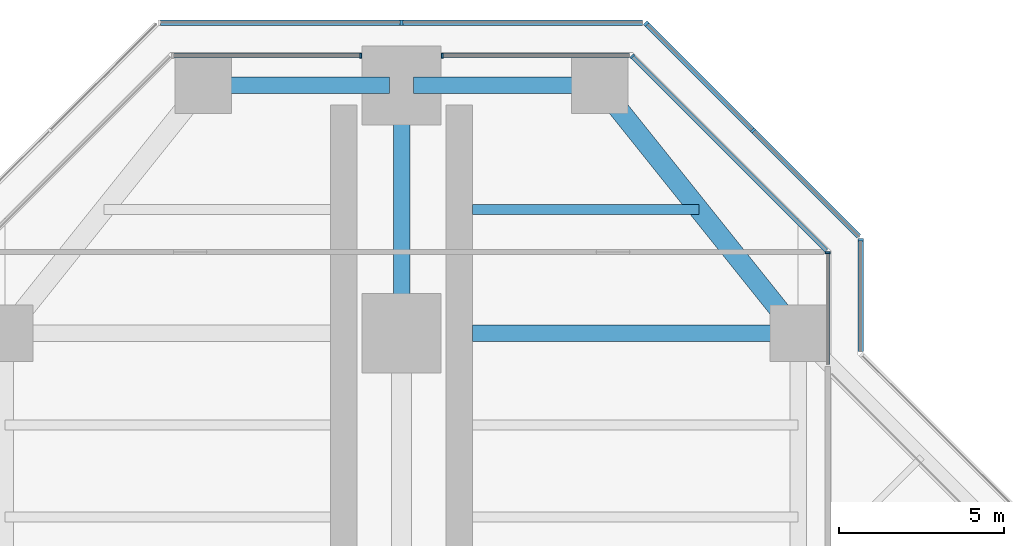
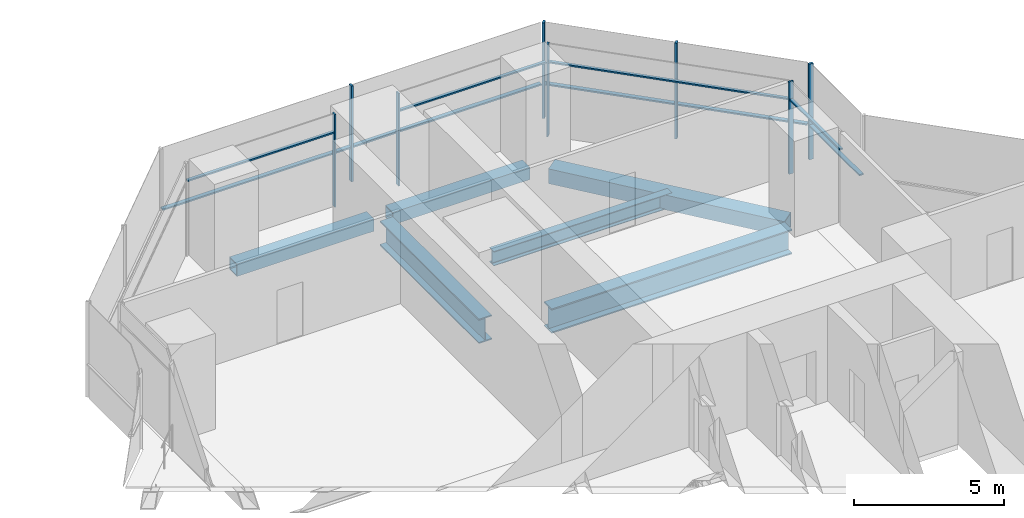
# One storey, part 10 of 20: 17 members, 6 beams, 7 elements without a shape of their own.
"""IFC4 building model written with IfcOpenShell, lengths in metres."""

import ifcopenshell
import ifcopenshell.guid

model = None  # the IFC model being written
_history = None  # IfcOwnerHistory: only IFC2X3 demands one
_inside = {}  # id of a spatial element -> (the spatial element, [elements in it])
_under = {}  # id of a project, library or spatial element -> (it, [spatial elements below it])
_declared = {}  # id of a project -> (the project, [libraries it declares])
_typed = {}  # id of a type object -> (the type object, [elements of that type])
_made_of = {}  # id of a material, layer set ... -> (it, [elements and type objects made of it])


def new_model(schema):
    """Start an empty IFC model of exactly this schema.

    Asked for "IFC4X3", IfcOpenShell would pick the latest addendum, in which some entities
    have other attributes; the version numbers below select the first issue.
    IFC2X3 requires an IfcOwnerHistory on every rooted entity: one is made here for all.
    """
    global model, _history
    if schema == "IFC4X3":
        model = ifcopenshell.file(schema_version=(4, 3, 0, 0))
    else:
        model = ifcopenshell.file(schema=schema)
    _inside.clear()
    _under.clear()
    _declared.clear()
    _typed.clear()
    _made_of.clear()
    _history = None
    if model.schema == "IFC2X3":
        org = make("IfcOrganization", Name="unknown")
        user = make(
            "IfcPersonAndOrganization",
            ThePerson=make("IfcPerson", FamilyName="unknown"),
            TheOrganization=org,
        )
        app = make(
            "IfcApplication",
            ApplicationDeveloper=org,
            Version="unknown",
            ApplicationFullName="unknown",
            ApplicationIdentifier="unknown",
        )
        _history = make(
            "IfcOwnerHistory",
            OwningUser=user,
            OwningApplication=app,
            ChangeAction="ADDED",
            CreationDate=0,
        )
    return model


def make(cls, **values):
    """One entity of the class cls with the attributes given. An attribute that is None is left unset."""
    return model.create_entity(
        cls, **{name: value for name, value in values.items() if value is not None}
    )


def rooted(cls, **values):
    """An entity with a GlobalId (a new one), such as an element, a storey or a relation."""
    return make(cls, GlobalId=ifcopenshell.guid.new(), OwnerHistory=_history, **values)


def si_unit(unit_type, name, prefix=None):
    """IfcSIUnit, for example si_unit("LENGTHUNIT", "METRE", prefix="MILLI")."""
    return make("IfcSIUnit", UnitType=unit_type, Prefix=prefix, Name=name)


def assignment(units):
    """IfcUnitAssignment: the units of a project."""
    return None if units is None else make("IfcUnitAssignment", Units=units)


def point(xyz):
    """IfcCartesianPoint."""
    return None if xyz is None else make("IfcCartesianPoint", Coordinates=xyz)


def direction(xyz):
    """IfcDirection."""
    return None if xyz is None else make("IfcDirection", DirectionRatios=xyz)


def frame(location, z_axis=None, x_axis=None):
    """IfcAxis2Placement3D, a coordinate frame: its origin and axes. An axis left out is left unset."""
    return make(
        "IfcAxis2Placement3D",
        Location=point(location),
        Axis=direction(z_axis),
        RefDirection=direction(x_axis),
    )


def frame_2d(location, x_axis=None):
    """IfcAxis2Placement2D, a coordinate frame in the plane: its origin and x axis."""
    return make(
        "IfcAxis2Placement2D", Location=point(location), RefDirection=direction(x_axis)
    )


def origin():
    """The frame at (0, 0, 0) with its axes left unset."""
    return frame((0.0, 0.0, 0.0))


def origin_2d():
    """The frame at (0, 0) in the plane with its x axis left unset."""
    return frame_2d((0.0, 0.0))


def place(relative_to, where):
    """IfcLocalPlacement: puts the frame where relative to a parent placement (None: the world)."""
    return make(
        "IfcLocalPlacement", PlacementRelTo=relative_to, RelativePlacement=where
    )


def context(
    kind, dimensions, precision=None, world=None, true_north=None, identifier=None
):
    """IfcGeometricRepresentationContext, for example the 3D "Model" context."""
    return make(
        "IfcGeometricRepresentationContext",
        ContextIdentifier=identifier,
        ContextType=kind,
        CoordinateSpaceDimension=dimensions,
        Precision=precision,
        WorldCoordinateSystem=world,
        TrueNorth=true_north,
    )


def subcontext(parent, identifier, kind, view, scale=None):
    """IfcGeometricRepresentationSubContext, for example "Body" below "Model"."""
    return make(
        "IfcGeometricRepresentationSubContext",
        ContextIdentifier=identifier,
        ContextType=kind,
        ParentContext=parent,
        TargetScale=scale,
        TargetView=view,
    )


def project(units=None, contexts=None):
    """IfcProject with its units and contexts."""
    return rooted(
        "IfcProject",
        Name="project",
        RepresentationContexts=contexts,
        UnitsInContext=assignment(units),
    )


def spatial(cls, under=None, at=None, **own):
    """A site, building, storey or space (cls), placed at a placement, below another one or the project."""
    s = rooted(cls, ObjectPlacement=at, **own)
    if under is not None:
        _under.setdefault(under.id(), (under, []))[1].append(s)
    return s


def profile(cls, at=None, kind="AREA", **sizes):
    """A parametric profile (cls). Its sizes go by their IFC names, for example OverallWidth=200.0."""
    return make(cls, ProfileType=kind, Position=at, **sizes)


def rectangle(**sizes):
    """IfcRectangleProfileDef."""
    return profile("IfcRectangleProfileDef", **sizes)


def hollow_rectangle(**sizes):
    """IfcRectangleHollowProfileDef."""
    return profile("IfcRectangleHollowProfileDef", **sizes)


def i_section(**sizes):
    """IfcIShapeProfileDef."""
    return profile("IfcIShapeProfileDef", **sizes)


def extrude(swept, where, along, depth):
    """IfcExtrudedAreaSolid: the profile swept, set in the frame where, extruded along a direction by depth."""
    return make(
        "IfcExtrudedAreaSolid",
        SweptArea=swept,
        Position=where,
        ExtrudedDirection=direction(along),
        Depth=depth,
    )


def shape(context_of_items, identifier, shape_type, items):
    """IfcShapeRepresentation: the items that make up one representation, for example the "Body"."""
    return make(
        "IfcShapeRepresentation",
        ContextOfItems=context_of_items,
        RepresentationIdentifier=identifier,
        RepresentationType=shape_type,
        Items=items,
    )


def material(Name=None, Category=None):
    """IfcMaterial."""
    return make("IfcMaterial", Name=Name, Category=Category)


def material_profile(
    of_material, cross_section, Name=None, Category=None, Priority=None
):
    """IfcMaterialProfile: a cross section and its material."""
    return make(
        "IfcMaterialProfile",
        Name=Name,
        Material=of_material,
        Profile=cross_section,
        Priority=Priority,
        Category=Category,
    )


def profile_set(profiles, Name=None, composite=None):
    """IfcMaterialProfileSet."""
    return make(
        "IfcMaterialProfileSet",
        Name=Name,
        MaterialProfiles=profiles,
        CompositeProfile=composite,
    )


def made_of(thing, what):
    """Note that an element or type object is made of a material, layer set ...; save() writes the relation."""
    if what is not None:
        _made_of.setdefault(what.id(), (what, []))[1].append(thing)
    return thing


def type_object(cls, material=None, **own):
    """A type object (cls), such as IfcWallType, which elements share."""
    return made_of(rooted(cls, **own), material)


def element(
    cls,
    number,
    at=None,
    inside=None,
    cuts=None,
    type_object=None,
    material=None,
    context=None,
    identifier="Body",
    shape_type=None,
    held_by="IfcProductDefinitionShape",
    body=None,
    shapes=None,
    **own,
):
    """One element of the class cls, such as IfcWall. Its Tag is "e" and its number.

    at: its placement. inside: the storey or other place that contains it. cuts: it is an
    opening in that element (IfcRelVoidsElement). A single representation is given by context,
    identifier, shape_type and body (its items); several are given by shapes. held_by: the class
    of the entity that holds the representations. save() writes the other relations.
    """
    e = rooted(cls, Tag="e%d" % number, ObjectPlacement=at, **own)
    if body is not None:
        shapes = [shape(context, identifier, shape_type, body)]
    if shapes is not None:
        e.Representation = make(held_by, Representations=shapes)
    if inside is not None:
        _inside.setdefault(inside.id(), (inside, []))[1].append(e)
    if cuts is not None:
        rooted(
            "IfcRelVoidsElement", RelatingBuildingElement=cuts, RelatedOpeningElement=e
        )
    if type_object is not None:
        _typed.setdefault(type_object.id(), (type_object, []))[1].append(e)
    return made_of(e, material)


def aggregate(whole, parts):
    """IfcRelAggregates: a whole, such as a stair, and the parts it consists of."""
    return rooted("IfcRelAggregates", RelatingObject=whole, RelatedObjects=parts)


def save(model, path):
    """Write the relations noted so far, then the file.

    IfcRelAggregates (storeys below a building ...), IfcRelContainedInSpatialStructure (elements
    in a storey), IfcRelDefinesByType, IfcRelAssociatesMaterial and IfcRelDeclares: one each for
    every whole, place, type object, material and project.
    """
    for whole, parts in _under.values():
        aggregate(whole, parts)
    for where, things in _inside.values():
        rooted(
            "IfcRelContainedInSpatialStructure",
            RelatedElements=things,
            RelatingStructure=where,
        )
    for kind, things in _typed.values():
        rooted("IfcRelDefinesByType", RelatedObjects=things, RelatingType=kind)
    for what, things in _made_of.values():
        rooted("IfcRelAssociatesMaterial", RelatedObjects=things, RelatingMaterial=what)
    for by, libraries in _declared.values():
        rooted("IfcRelDeclares", RelatingContext=by, RelatedDefinitions=libraries)
    model.write(path)


model = new_model("IFC4")

# Units and contexts
model_context = context("Model", 3, precision=1e-05, world=origin(), true_north=direction((0.0, 1.0)))
body_context = subcontext(model_context, "Body", "Model", "MODEL_VIEW")
ifc_project = project(units=[si_unit("LENGTHUNIT", "METRE"), si_unit("AREAUNIT", "SQUARE_METRE"), si_unit("VOLUMEUNIT", "CUBIC_METRE"), si_unit("PLANEANGLEUNIT", "RADIAN"), si_unit("MASSUNIT", "GRAM", prefix="KILO")], contexts=[model_context])

# Site, building, storey
site_placement = place(None, origin())
site = spatial("IfcSite", under=ifc_project, at=site_placement, CompositionType="ELEMENT")
building_placement = place(site_placement, origin())
building = spatial("IfcBuilding", under=site, at=building_placement, Name="Mizan Broadcast Tower", CompositionType="ELEMENT")
storey_placement = place(building_placement, frame((0.0, 0.0, 135.89990234375)))
storey = spatial("IfcBuildingStorey", under=building, at=storey_placement, Name="L30", CompositionType="ELEMENT", Elevation=135.89990234375)

# Beams
ifc_material_1 = material(Name="Steel S355", Category="steel")
ifc_material_profile_1 = material_profile(ifc_material_1, hollow_rectangle(XDim=0.5, YDim=0.5, WallThickness=0.030029296875, at=origin_2d()), Name="BOX 500x500x30")
ifc_profile_set_1 = profile_set([ifc_material_profile_1], Name="Steel S355")
beam_type_1 = type_object("IfcBeamType", Name="EDGE BEAM BOX 500x500x30", PredefinedType="SPANDREL", material=ifc_profile_set_1)
for number, where, z_axis, x_axis, name in (
    (1, (5.639892578125, 27.0, -0.3798828125), (-1.0, 0.0, 0.0), (0.0, -1.0, 0.0), "Edge beam BOX 500x500x30 L30 north arm"),
    (2, (-5.639892578125, 27.0, -0.3798828125), (1.0, 0.0, 0.0), (0.0, 1.0, 0.0), "Edge beam BOX 500x500x30 L30 north arm"),
):
    element("IfcBeam", number, at=place(storey_placement, frame(where, z_axis=z_axis, x_axis=x_axis)), inside=storey, type_object=beam_type_1, Name=name, PredefinedType="SPANDREL", context=body_context, shape_type="SweptSolid", body=[
        extrude(hollow_rectangle(XDim=0.5, YDim=0.5, WallThickness=0.030029296875, at=origin_2d()), origin(), (0.0, 0.0, 1.0), 5.27978515625),
    ])
ifc_material_2 = material(Name="Steel S355", Category="steel")
ifc_material_profile_2 = material_profile(ifc_material_2, hollow_rectangle(XDim=0.60009765625, YDim=0.60009765625, WallThickness=0.030029296875, at=origin_2d()), Name="BOX 600x600x30")
ifc_profile_set_2 = profile_set([ifc_material_profile_2], Name="Steel S355")
beam_type_2 = type_object("IfcBeamType", Name="EDGE BEAM BOX 600x600x30", PredefinedType="SPANDREL", material=ifc_profile_set_2)
beam_1_placement = place(storey_placement, frame((11.639892578125, 19.949951171875, -0.429931640625), z_axis=(-0.624673911726, 0.780885717636, 0.0), x_axis=(-0.780885717636, -0.624673911726, 0.0)))
element("IfcBeam", 3, at=beam_1_placement, inside=storey, type_object=beam_type_2, Name="Edge beam BOX 600x600x30 L30 north arm", PredefinedType="SPANDREL", context=body_context, shape_type="SweptSolid", body=[
    extrude(hollow_rectangle(XDim=0.60009765625, YDim=0.60009765625, WallThickness=0.030029296875, at=origin_2d()), origin(), (0.0, 0.0, 1.0), 8.4521484375),
])
ifc_material_3 = material(Name="Steel S460", Category="steel")
ifc_material_profile_3 = material_profile(ifc_material_3, i_section(OverallWidth=0.5, OverallDepth=1.0, WebThickness=0.02490234375, FlangeThickness=0.050048828125, at=origin_2d()), Name="WPG 1000x500")
ifc_profile_set_3 = profile_set([ifc_material_profile_3], Name="Steel S460")
beam_type_3 = type_object("IfcBeamType", Name="GIRDER WPG 1000x500", PredefinedType="BEAM", material=ifc_profile_set_3)
beam_2_placement = place(storey_placement, frame((0.0, 19.949951171875, -0.6298828125), z_axis=(0.0, 1.0, 0.0), x_axis=(-1.0, 0.0, 0.0)))
element("IfcBeam", 4, at=beam_2_placement, inside=storey, type_object=beam_type_3, Name="Girder WPG 1000x500 L30 north arm", PredefinedType="BEAM", context=body_context, shape_type="SweptSolid", body=[
    extrude(i_section(OverallWidth=0.5, OverallDepth=1.0, WebThickness=0.02490234375, FlangeThickness=0.050048828125, at=origin_2d()), origin(), (0.0, 0.0, 1.0), 6.60009765625),
])
beam_3_placement = place(storey_placement, frame((11.408935546875, 19.5, -0.6298828125), z_axis=(-1.0, 0.0, 0.0), x_axis=(0.0, -1.0, 0.0)))
element("IfcBeam", 5, at=beam_3_placement, inside=storey, type_object=beam_type_3, Name="Girder WPG 1000x500 L30 north arm", PredefinedType="BEAM", context=body_context, shape_type="SweptSolid", body=[
    extrude(i_section(OverallWidth=0.5, OverallDepth=1.0, WebThickness=0.02490234375, FlangeThickness=0.050048828125, at=origin_2d()), origin(), (0.0, 0.0, 1.0), 9.259033203125),
])

# Curtain wall, member
ifc_material_4 = material(Name="Aluminium framed glazing", Category="aluminium")
curtain_wall_type_1 = type_object("IfcCurtainWallType", Name="INNER SKIN MID ZONE", PredefinedType="USERDEFINED", material=ifc_material_4)
curtain_wall_1_placement = place(storey_placement, origin())
curtain_wall_1 = element("IfcCurtainWall", 6, at=curtain_wall_1_placement, inside=storey, type_object=curtain_wall_type_1, Name="Inner skin mid zone L30 N side", ObjectType="INNER SKIN MID ZONE", PredefinedType="USERDEFINED")
ifc_material_5 = material(Name="Aluminium, pale anodised", Category="aluminium")
ifc_material_profile_4 = material_profile(ifc_material_5, rectangle(XDim=0.159912109375, YDim=0.06005859375, at=origin_2d()), Name="MULLION 160x60")
ifc_profile_set_4 = profile_set([ifc_material_profile_4], Name="Aluminium, pale anodised")
member_type_1 = type_object("IfcMemberType", Name="INNER SKIN MULLION 60x160", PredefinedType="MULLION", material=ifc_profile_set_4)
member_1_placement = place(storey_placement, frame((12.89990234375, 21.928466796875, 0.0), z_axis=(0.0, 0.0, 1.0), x_axis=(-1.0, 0.0, 0.0)))
member_1 = element("IfcMember", 7, at=member_1_placement, type_object=member_type_1, Name="Inner skin mid zone L30 N side mullion 2", PredefinedType="MULLION", context=body_context, shape_type="SweptSolid", body=[
    extrude(rectangle(XDim=0.159912109375, YDim=0.06005859375, at=origin_2d()), origin(), (0.0, 0.0, 1.0), 3.77001953125),
])

curtain_wall_2_placement = place(storey_placement, origin())
curtain_wall_2 = element("IfcCurtainWall", 8, at=curtain_wall_2_placement, inside=storey, type_object=curtain_wall_type_1, Name="Inner skin mid zone L30 N chamfer", ObjectType="INNER SKIN MID ZONE", PredefinedType="USERDEFINED")
member_2_placement = place(storey_placement, frame((6.979736328125, 27.87890625, 0.0), z_axis=(0.0, 0.0, 1.0), x_axis=(-0.707106781187, -0.707106781187, 0.0)))
member_2 = element("IfcMember", 9, at=member_2_placement, type_object=member_type_1, Name="Inner skin mid zone L30 N chamfer mullion 2", PredefinedType="MULLION", context=body_context, shape_type="SweptSolid", body=[
    extrude(rectangle(XDim=0.159912109375, YDim=0.06005859375, at=origin_2d()), origin(), (0.0, 0.0, 1.0), 3.77001953125),
])

curtain_wall_3_placement = place(storey_placement, origin())
curtain_wall_3 = element("IfcCurtainWall", 10, at=curtain_wall_3_placement, inside=storey, type_object=curtain_wall_type_1, Name="Inner skin mid zone L30 N end", ObjectType="INNER SKIN MID ZONE", PredefinedType="USERDEFINED")
member_3_placement = place(storey_placement, frame((1.22998046875, 27.89990234375, 0.0), z_axis=(0.0, 0.0, 1.0), x_axis=(0.0, -1.0, 0.0)))
member_3 = element("IfcMember", 11, at=member_3_placement, type_object=member_type_1, Name="Inner skin mid zone L30 N end mullion 2", PredefinedType="MULLION", context=body_context, shape_type="SweptSolid", body=[
    extrude(rectangle(XDim=0.159912109375, YDim=0.06005859375, at=origin_2d()), origin(), (0.0, 0.0, 1.0), 3.77001953125),
])

curtain_wall_4_placement = place(storey_placement, origin())
curtain_wall_4 = element("IfcCurtainWall", 12, at=curtain_wall_4_placement, inside=storey, type_object=curtain_wall_type_1, Name="Inner skin mid zone L30 N end", ObjectType="INNER SKIN MID ZONE", PredefinedType="USERDEFINED")
member_4_placement = place(storey_placement, frame((-1.22998046875, 27.89990234375, 0.0), z_axis=(0.0, 0.0, 1.0), x_axis=(0.0, -1.0, 0.0)))
member_4 = element("IfcMember", 13, at=member_4_placement, type_object=member_type_1, Name="Inner skin mid zone L30 N end mullion 1", PredefinedType="MULLION", context=body_context, shape_type="SweptSolid", body=[
    extrude(rectangle(XDim=0.159912109375, YDim=0.06005859375, at=origin_2d()), origin(), (0.0, 0.0, 1.0), 3.77001953125),
])

# Member
ifc_material_6 = material(Name="Aluminium, pale anodised", Category="aluminium")
ifc_material_profile_5 = material_profile(ifc_material_6, rectangle(XDim=0.1201171875, YDim=0.06005859375, at=origin_2d()), Name="TRANSOM 120x60")
ifc_profile_set_5 = profile_set([ifc_material_profile_5], Name="Aluminium, pale anodised")
member_type_2 = type_object("IfcMemberType", Name="INNER SKIN TRANSOM 60x120", PredefinedType="USERDEFINED", material=ifc_profile_set_5)
member_5_placement = place(storey_placement, frame((12.89990234375, 18.56005859375, 3.030029296875), z_axis=(0.0, 1.0, 0.0), x_axis=(-1.0, 0.0, 0.0)))
member_5 = element("IfcMember", 14, at=member_5_placement, type_object=member_type_2, Name="Inner skin mid zone L30 N side transom 1.1", ObjectType="TRANSOM", PredefinedType="USERDEFINED", context=body_context, shape_type="SweptSolid", body=[
    extrude(rectangle(XDim=0.1201171875, YDim=0.06005859375, at=origin_2d()), origin(), (0.0, 0.0, 1.0), 3.338623046875),
])

aggregate(curtain_wall_1, [member_1, member_5])

member_6_placement = place(storey_placement, frame((12.857666015625, 22.0009765625, 3.030029296875), z_axis=(-0.707106781187, 0.707106781187, 0.0), x_axis=(-0.707106781187, -0.707106781187, 0.0)))
member_6 = element("IfcMember", 15, at=member_6_placement, type_object=member_type_2, Name="Inner skin mid zone L30 N chamfer transom 1.1", ObjectType="TRANSOM", PredefinedType="USERDEFINED", context=body_context, shape_type="SweptSolid", body=[
    extrude(rectangle(XDim=0.1201171875, YDim=0.06005859375, at=origin_2d()), origin(), (0.0, 0.0, 1.0), 8.28271484375),
])

aggregate(curtain_wall_2, [member_2, member_6])

member_7_placement = place(storey_placement, frame((6.898681640625, 27.89990234375, 3.030029296875), z_axis=(-1.0, 0.0, 0.0), x_axis=(0.0, -1.0, 0.0)))
member_7 = element("IfcMember", 16, at=member_7_placement, type_object=member_type_2, Name="Inner skin mid zone L30 N end transom 1.1", ObjectType="TRANSOM", PredefinedType="USERDEFINED", context=body_context, shape_type="SweptSolid", body=[
    extrude(rectangle(XDim=0.1201171875, YDim=0.06005859375, at=origin_2d()), origin(), (0.0, 0.0, 1.0), 5.638671875),
])

aggregate(curtain_wall_3, [member_3, member_7])

member_8_placement = place(storey_placement, frame((-1.260009765625, 27.89990234375, 3.030029296875), z_axis=(-1.0, 0.0, 0.0), x_axis=(0.0, -1.0, 0.0)))
member_8 = element("IfcMember", 17, at=member_8_placement, type_object=member_type_2, Name="Inner skin mid zone L30 N end transom 1.1", ObjectType="TRANSOM", PredefinedType="USERDEFINED", context=body_context, shape_type="SweptSolid", body=[
    extrude(rectangle(XDim=0.1201171875, YDim=0.06005859375, at=origin_2d()), origin(), (0.0, 0.0, 1.0), 5.638671875),
])

aggregate(curtain_wall_4, [member_4, member_8])

# Curtain wall, member
ifc_material_7 = material(Name="Aluminium framed glazing", Category="aluminium")
curtain_wall_type_2 = type_object("IfcCurtainWallType", Name="OUTER SKIN", PredefinedType="USERDEFINED", material=ifc_material_7)
curtain_wall_5_placement = place(storey_placement, origin())
curtain_wall_5 = element("IfcCurtainWall", 18, at=curtain_wall_5_placement, inside=storey, type_object=curtain_wall_type_2, Name="Outer skin L30 N side", ObjectType="OUTER SKIN", PredefinedType="USERDEFINED")
ifc_material_8 = material(Name="Aluminium, pale anodised", Category="aluminium")
ifc_material_profile_6 = material_profile(ifc_material_8, rectangle(XDim=0.159912109375, YDim=0.080078125, at=origin_2d()), Name="MULLION 160x80")
ifc_profile_set_6 = profile_set([ifc_material_profile_6], Name="Aluminium, pale anodised")
member_type_3 = type_object("IfcMemberType", Name="OUTER SKIN MULLION 80x160", PredefinedType="MULLION", material=ifc_profile_set_6)
member_9_placement = place(storey_placement, frame((13.89990234375, 22.332763671875, 0.0), z_axis=(0.0, 0.0, 1.0), x_axis=(-1.0, 0.0, 0.0)))
member_9 = element("IfcMember", 19, at=member_9_placement, type_object=member_type_3, Name="Outer skin L30 N side mullion 2", PredefinedType="MULLION", context=body_context, shape_type="SweptSolid", body=[
    extrude(rectangle(XDim=0.159912109375, YDim=0.080078125, at=origin_2d()), origin(), (0.0, 0.0, 1.0), 3.900146484375),
])

# Curtain wall, members
curtain_wall_6_placement = place(storey_placement, origin())
curtain_wall_6 = element("IfcCurtainWall", 20, at=curtain_wall_6_placement, inside=storey, type_object=curtain_wall_type_2, Name="Outer skin L30 N chamfer", ObjectType="OUTER SKIN", PredefinedType="USERDEFINED")
member_10_placement = place(storey_placement, frame((10.636474609375, 25.636474609375, 0.0), z_axis=(0.0, 0.0, 1.0), x_axis=(-0.707106781187, -0.707106781187, 0.0)))
member_10 = element("IfcMember", 21, at=member_10_placement, type_object=member_type_3, Name="Outer skin L30 N chamfer mullion 2", PredefinedType="MULLION", context=body_context, shape_type="SweptSolid", body=[
    extrude(rectangle(XDim=0.159912109375, YDim=0.080078125, at=origin_2d()), origin(), (0.0, 0.0, 1.0), 3.900146484375),
])
member_11_placement = place(storey_placement, frame((7.401123046875, 28.871826171875, 0.0), z_axis=(0.0, 0.0, 1.0), x_axis=(-0.707106781187, -0.707106781187, 0.0)))
member_11 = element("IfcMember", 22, at=member_11_placement, type_object=member_type_3, Name="Outer skin L30 N chamfer mullion 3", PredefinedType="MULLION", context=body_context, shape_type="SweptSolid", body=[
    extrude(rectangle(XDim=0.159912109375, YDim=0.080078125, at=origin_2d()), origin(), (0.0, 0.0, 1.0), 3.900146484375),
])

# Curtain wall, member
curtain_wall_7_placement = place(storey_placement, origin())
curtain_wall_7 = element("IfcCurtainWall", 23, at=curtain_wall_7_placement, inside=storey, type_object=curtain_wall_type_2, Name="Outer skin L30 N end", ObjectType="OUTER SKIN", PredefinedType="USERDEFINED")
member_12_placement = place(storey_placement, frame((0.0, 28.89990234375, 0.0), z_axis=(0.0, 0.0, 1.0), x_axis=(0.0, -1.0, 0.0)))
member_12 = element("IfcMember", 24, at=member_12_placement, type_object=member_type_3, Name="Outer skin L30 N end mullion 2", PredefinedType="MULLION", context=body_context, shape_type="SweptSolid", body=[
    extrude(rectangle(XDim=0.159912109375, YDim=0.080078125, at=origin_2d()), origin(), (0.0, 0.0, 1.0), 3.900146484375),
])

# Member
ifc_material_9 = material(Name="Aluminium, pale anodised", Category="aluminium")
ifc_material_profile_7 = material_profile(ifc_material_9, rectangle(XDim=0.159912109375, YDim=0.06005859375, at=origin_2d()), Name="TRANSOM 160x60")
ifc_profile_set_7 = profile_set([ifc_material_profile_7], Name="Aluminium, pale anodised")
member_type_4 = type_object("IfcMemberType", Name="OUTER SKIN TRANSOM 60x160", PredefinedType="USERDEFINED", material=ifc_profile_set_7)
member_13_placement = place(storey_placement, frame((13.89990234375, 18.952880859375, 1.400146484375), z_axis=(0.0, 1.0, 0.0), x_axis=(-1.0, 0.0, 0.0)))
member_13 = element("IfcMember", 25, at=member_13_placement, type_object=member_type_4, Name="Outer skin L30 N side transom 1.1", ObjectType="TRANSOM", PredefinedType="USERDEFINED", context=body_context, shape_type="SweptSolid", body=[
    extrude(rectangle(XDim=0.159912109375, YDim=0.06005859375, at=origin_2d()), origin(), (0.0, 0.0, 1.0), 3.33984375),
])

aggregate(curtain_wall_5, [member_9, member_13])

member_14_placement = place(storey_placement, frame((13.843505859375, 22.429443359375, 1.400146484375), z_axis=(-0.707106781187, 0.707106781187, 0.0), x_axis=(-0.707106781187, -0.707106781187, 0.0)))
member_14 = element("IfcMember", 26, at=member_14_placement, type_object=member_type_4, Name="Outer skin L30 N chamfer transom 1.1", ObjectType="TRANSOM", PredefinedType="USERDEFINED", context=body_context, shape_type="SweptSolid", body=[
    extrude(rectangle(XDim=0.159912109375, YDim=0.06005859375, at=origin_2d()), origin(), (0.0, 0.0, 1.0), 4.495361328125),
])

member_15_placement = place(storey_placement, frame((10.608154296875, 25.664794921875, 1.400146484375), z_axis=(-0.707106781187, 0.707106781187, 0.0), x_axis=(-0.707106781187, -0.707106781187, 0.0)))
member_15 = element("IfcMember", 27, at=member_15_placement, type_object=member_type_4, Name="Outer skin L30 N chamfer transom 2.1", ObjectType="TRANSOM", PredefinedType="USERDEFINED", context=body_context, shape_type="SweptSolid", body=[
    extrude(rectangle(XDim=0.159912109375, YDim=0.06005859375, at=origin_2d()), origin(), (0.0, 0.0, 1.0), 4.495361328125),
])

aggregate(curtain_wall_6, [member_10, member_11, member_14, member_15])

member_16_placement = place(storey_placement, frame((7.292724609375, 28.89990234375, 1.400146484375), z_axis=(-1.0, 0.0, 0.0), x_axis=(0.0, -1.0, 0.0)))
member_16 = element("IfcMember", 28, at=member_16_placement, type_object=member_type_4, Name="Outer skin L30 N end transom 1.1", ObjectType="TRANSOM", PredefinedType="USERDEFINED", context=body_context, shape_type="SweptSolid", body=[
    extrude(rectangle(XDim=0.159912109375, YDim=0.06005859375, at=origin_2d()), origin(), (0.0, 0.0, 1.0), 7.252685546875),
])

member_17_placement = place(storey_placement, frame((-0.0400390625, 28.89990234375, 1.400146484375), z_axis=(-1.0, 0.0, 0.0), x_axis=(0.0, -1.0, 0.0)))
member_17 = element("IfcMember", 29, at=member_17_placement, type_object=member_type_4, Name="Outer skin L30 N end transom 2.1", ObjectType="TRANSOM", PredefinedType="USERDEFINED", context=body_context, shape_type="SweptSolid", body=[
    extrude(rectangle(XDim=0.159912109375, YDim=0.06005859375, at=origin_2d()), origin(), (0.0, 0.0, 1.0), 7.252685546875),
])

aggregate(curtain_wall_7, [member_12, member_16, member_17])

# Beam
ifc_material_10 = material(Name="Steel S355", Category="steel")
ifc_material_profile_8 = material_profile(ifc_material_10, i_section(OverallWidth=0.300048828125, OverallDepth=0.590087890625, WebThickness=0.012939453125, FlangeThickness=0.02490234375, FilletRadius=0.027099609375, at=origin_2d()), Name="HEA 600")
ifc_profile_set_8 = profile_set([ifc_material_profile_8], Name="Steel S355")
beam_type_4 = type_object("IfcBeamType", Name="SECONDARY BEAM HEA 600", PredefinedType="JOIST", material=ifc_profile_set_8)
beam_4_placement = place(storey_placement, frame((9.0, 23.25, -0.4248046875), z_axis=(-1.0, 0.0, 0.0), x_axis=(0.0, -1.0, 0.0)))
element("IfcBeam", 30, at=beam_4_placement, inside=storey, type_object=beam_type_4, Name="Secondary beam HEA 600 L30 north arm", PredefinedType="JOIST", context=body_context, shape_type="SweptSolid", body=[
    extrude(i_section(OverallWidth=0.300048828125, OverallDepth=0.590087890625, WebThickness=0.012939453125, FlangeThickness=0.02490234375, FilletRadius=0.027099609375, at=origin_2d()), origin(), (0.0, 0.0, 1.0), 6.85009765625),
])

save(model, "model.ifc")
